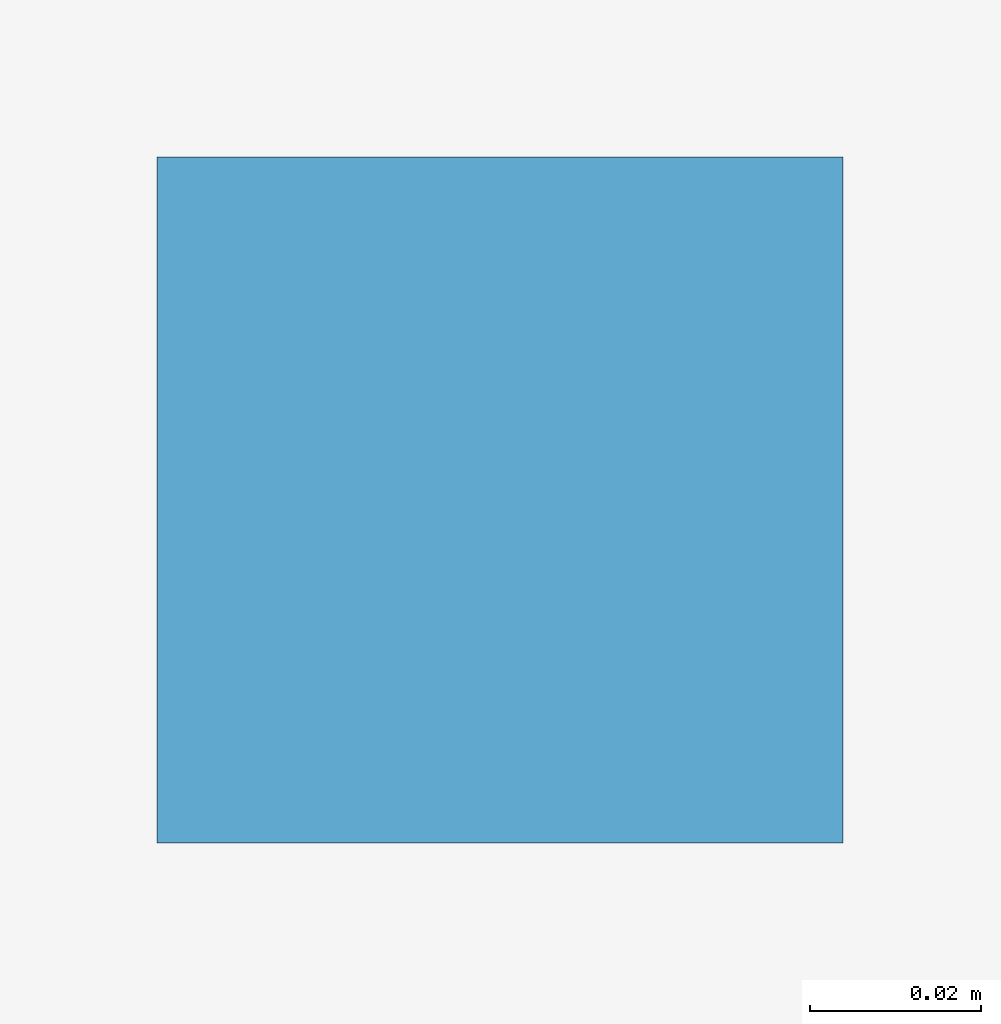
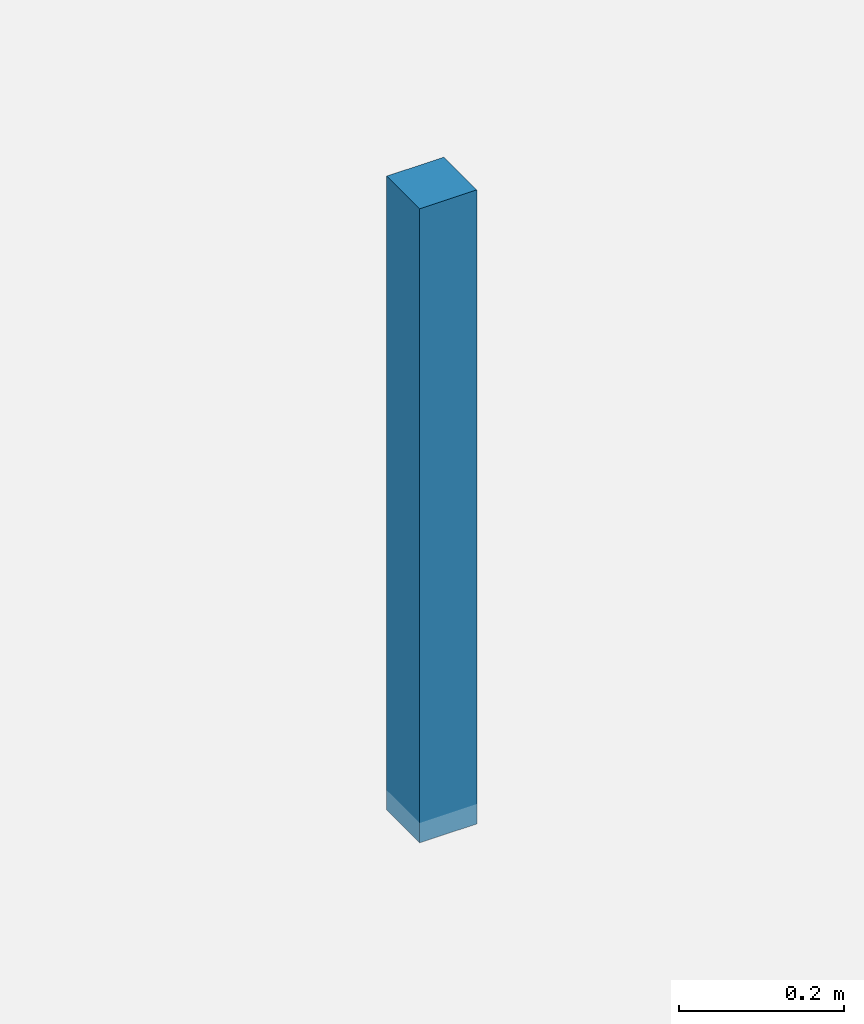
# One storey, part 11 of 15: 1 discrete accessory.
"""IFC4 building model written with IfcOpenShell, lengths in metres."""

from ifc_helpers import new_model, si_unit, direction, frame, origin, origin_2d, place, context, subcontext, project, spatial, rectangle, extrude, source, transform, mapped, material, type_object, element, save


model = new_model("IFC4")

# Units and contexts
model_context = context("Model", 3, precision=1e-05, world=origin(), true_north=direction((0.0, 1.0)))
body_context = subcontext(model_context, "Body", "Model", "MODEL_VIEW")
ifc_project = project(units=[si_unit("LENGTHUNIT", "METRE"), si_unit("AREAUNIT", "SQUARE_METRE"), si_unit("VOLUMEUNIT", "CUBIC_METRE"), si_unit("PLANEANGLEUNIT", "RADIAN"), si_unit("MASSUNIT", "GRAM", prefix="KILO")], contexts=[model_context])

# Site, building, storey
site_placement = place(None, origin())
site = spatial("IfcSite", under=ifc_project, at=site_placement, CompositionType="ELEMENT")
building_placement = place(site_placement, origin())
building = spatial("IfcBuilding", under=site, at=building_placement, Name="Giltprow Tower", CompositionType="ELEMENT")
storey_placement = place(building_placement, frame((0.0, 0.0, 127.0)))
storey = spatial("IfcBuildingStorey", under=building, at=storey_placement, Name="L31", CompositionType="ELEMENT", Elevation=127.0)

# Discrete accessory
ifc_material = material(Name="Structural steel Q355B", Category="steel")
discrete_accessory_type = type_object("IfcDiscreteAccessoryType", Name="ACC-CLG-HANGER", PredefinedType="BRACKET", material=ifc_material)
shared_shape = source(origin(), body_context, "Body", "SweptSolid", [
    extrude(rectangle(XDim=0.080078125, YDim=0.080078125, at=origin_2d()), origin(), (0.0, 0.0, 1.0), 0.93994140625),
])
discrete_accessory_placement = place(storey_placement, frame((25.39990234375, 20.333984375, 2.719970703125), z_axis=(0.0, 0.0, 1.0), x_axis=(1.0, 0.0, 0.0)))
element("IfcDiscreteAccessory", 1, at=discrete_accessory_placement, inside=storey, type_object=discrete_accessory_type, Name="L31 Office Acoustic Ceiling Suspension Hanger", PredefinedType="BRACKET", context=body_context, shape_type="MappedRepresentation", body=[
    mapped(shared_shape, transform((0.0, 0.0, 0.0), x_axis=(1.0, 0.0, 0.0), y_axis=(0.0, 1.0, 0.0), z_axis=(0.0, 0.0, 1.0), scale=1.0)),
])

save(model, "model.ifc")
